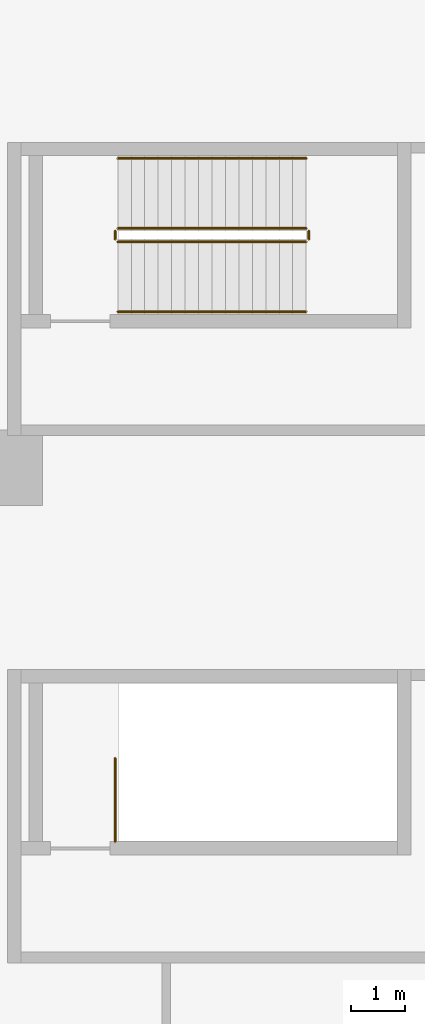
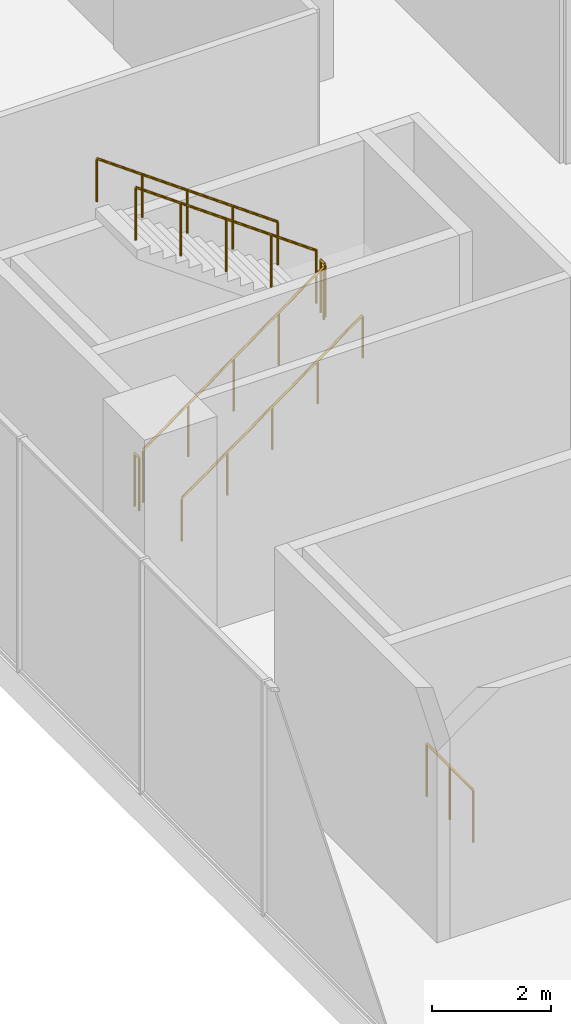
# One storey, part 20 of 21: 7 railings.
"""IFC4 building model written with IfcOpenShell, lengths in metres."""

from ifc_helpers import new_model, si_unit, direction, frame, origin, origin_2d, place, context, subcontext, project, spatial, circle, extrude, source, transform, mapped, material, type_object, element, save


model = new_model("IFC4")

# Units and contexts
model_context = context("Model", 3, precision=1e-05, world=origin(), true_north=direction((0.0, 1.0)))
body_context = subcontext(model_context, "Body", "Model", "MODEL_VIEW")
ifc_project = project(units=[si_unit("LENGTHUNIT", "METRE"), si_unit("AREAUNIT", "SQUARE_METRE"), si_unit("VOLUMEUNIT", "CUBIC_METRE"), si_unit("PLANEANGLEUNIT", "RADIAN"), si_unit("MASSUNIT", "GRAM", prefix="KILO")], contexts=[model_context])

# Site, building, storey
site_placement = place(None, origin())
site = spatial("IfcSite", under=ifc_project, at=site_placement, CompositionType="ELEMENT")
building_placement = place(site_placement, origin())
building = spatial("IfcBuilding", under=site, at=building_placement, Name="Aurelian Terraces", CompositionType="ELEMENT")
storey_placement = place(building_placement, frame((0.0, 0.0, 29.1)))
storey = spatial("IfcBuildingStorey", under=building, at=storey_placement, Name="L05", CompositionType="ELEMENT", Elevation=29.1)

# Railings
ifc_material = material(Name="Stainless steel", Category="steel")
railing_type_1 = type_object("IfcRailingType", Name="Stair guard 1100", PredefinedType="GUARDRAIL", material=ifc_material)
shared_shape_1 = source(origin(), body_context, "Body", "SweptSolid", [
    extrude(circle(Radius=0.024, at=origin_2d()), frame((0.0, 0.0, 1.076), z_axis=(0.0, 1.0, 0.0), x_axis=(-1.0, 0.0, 0.0)), (0.0, 0.0, 1.0), 0.15),
    extrude(circle(Radius=0.021, at=origin_2d()), origin(), (0.0, 0.0, 1.0), 1.052),
    extrude(circle(Radius=0.021, at=origin_2d()), frame((0.0, 0.15, 0.0)), (0.0, 0.0, 1.0), 1.052),
])
for number, where, name in (
    (1, (5.65, 42.05, 2.7), "L05 S3 stair guard 2"),
    (2, (2.05, 42.05, 0.0), "L05 S3 stair guard 4"),
):
    element("IfcRailing", number, at=place(storey_placement, frame(where)), inside=storey, type_object=railing_type_1, Name=name, PredefinedType="GUARDRAIL", context=body_context, shape_type="MappedRepresentation", body=[
        mapped(shared_shape_1, transform((0.0, 0.0, 0.0), scale=1.0)),
    ])
shared_shape_2 = source(origin(), body_context, "Body", "SweptSolid", [
    extrude(circle(Radius=0.024, at=origin_2d()), frame((0.0, 0.0, 1.076), z_axis=(0.811534341451, 0.0, 0.584304725845), x_axis=(0.0, 1.0, 0.0)), (0.0, 0.0, 1.0), 4.3128),
    extrude(circle(Radius=0.021, at=origin_2d()), origin(), (0.0, 0.0, 1.0), 1.052),
    extrude(circle(Radius=0.021, at=origin_2d()), frame((0.875, 0.0, 0.63)), (0.0, 0.0, 1.0), 1.052),
    extrude(circle(Radius=0.021, at=origin_2d()), frame((1.75, 0.0, 1.26)), (0.0, 0.0, 1.0), 1.052),
    extrude(circle(Radius=0.021, at=origin_2d()), frame((2.625, 0.0, 1.89)), (0.0, 0.0, 1.0), 1.052),
    extrude(circle(Radius=0.021, at=origin_2d()), frame((3.5, 0.0, 2.52)), (0.0, 0.0, 1.0), 1.052),
])
railing_1_placement = place(storey_placement, frame((2.1, 42.0, 0.18)))
element("IfcRailing", 3, at=railing_1_placement, inside=storey, type_object=railing_type_1, Name="L05 S3 stair guard 1", PredefinedType="GUARDRAIL", context=body_context, shape_type="MappedRepresentation", body=[
    mapped(shared_shape_2, transform((0.0, 0.0, 0.0), scale=1.0)),
])
shared_shape_3 = source(origin(), body_context, "Body", "SweptSolid", [
    extrude(circle(Radius=0.024, at=origin_2d()), frame((0.0, 0.0, 1.076), z_axis=(-0.811534341451, 0.0, 0.584304725845), x_axis=(0.0, -1.0, 0.0)), (0.0, 0.0, 1.0), 4.3128),
    extrude(circle(Radius=0.021, at=origin_2d()), origin(), (0.0, 0.0, 1.0), 1.052),
    extrude(circle(Radius=0.021, at=origin_2d()), frame((-0.875, 0.0, 0.63)), (0.0, 0.0, 1.0), 1.052),
    extrude(circle(Radius=0.021, at=origin_2d()), frame((-1.75, 0.0, 1.26)), (0.0, 0.0, 1.0), 1.052),
    extrude(circle(Radius=0.021, at=origin_2d()), frame((-2.625, 0.0, 1.89)), (0.0, 0.0, 1.0), 1.052),
    extrude(circle(Radius=0.021, at=origin_2d()), frame((-3.5, 0.0, 2.52)), (0.0, 0.0, 1.0), 1.052),
])
railing_2_placement = place(storey_placement, frame((5.6, 42.25, 2.88)))
element("IfcRailing", 4, at=railing_2_placement, inside=storey, type_object=railing_type_1, Name="L05 S3 stair guard 3", PredefinedType="GUARDRAIL", context=body_context, shape_type="MappedRepresentation", body=[
    mapped(shared_shape_3, transform((0.0, 0.0, 0.0), scale=1.0)),
])
railing_type_2 = type_object("IfcRailingType", Name="Stair handrail", PredefinedType="HANDRAIL", material=ifc_material)
shared_shape_4 = source(origin(), body_context, "Body", "SweptSolid", [
    extrude(circle(Radius=0.024, at=origin_2d()), frame((0.0, 0.0, 0.876), z_axis=(0.811534341451, 0.0, 0.584304725845), x_axis=(0.0, 1.0, 0.0)), (0.0, 0.0, 1.0), 4.3128),
    extrude(circle(Radius=0.021, at=origin_2d()), origin(), (0.0, 0.0, 1.0), 0.852),
    extrude(circle(Radius=0.021, at=origin_2d()), frame((0.875, 0.0, 0.63)), (0.0, 0.0, 1.0), 0.852),
    extrude(circle(Radius=0.021, at=origin_2d()), frame((1.75, 0.0, 1.26)), (0.0, 0.0, 1.0), 0.852),
    extrude(circle(Radius=0.021, at=origin_2d()), frame((2.625, 0.0, 1.89)), (0.0, 0.0, 1.0), 0.852),
    extrude(circle(Radius=0.021, at=origin_2d()), frame((3.5, 0.0, 2.52)), (0.0, 0.0, 1.0), 0.852),
])
railing_3_placement = place(storey_placement, frame((2.1, 40.7, 0.18)))
element("IfcRailing", 5, at=railing_3_placement, inside=storey, type_object=railing_type_2, Name="L05 S3 stair handrail 1", PredefinedType="HANDRAIL", context=body_context, shape_type="MappedRepresentation", body=[
    mapped(shared_shape_4, transform((0.0, 0.0, 0.0), scale=1.0)),
])
shared_shape_5 = source(origin(), body_context, "Body", "SweptSolid", [
    extrude(circle(Radius=0.024, at=origin_2d()), frame((0.0, 0.0, 0.876), z_axis=(-0.811534341451, 0.0, 0.584304725845), x_axis=(0.0, -1.0, 0.0)), (0.0, 0.0, 1.0), 4.3128),
    extrude(circle(Radius=0.021, at=origin_2d()), origin(), (0.0, 0.0, 1.0), 0.852),
    extrude(circle(Radius=0.021, at=origin_2d()), frame((-0.875, 0.0, 0.63)), (0.0, 0.0, 1.0), 0.852),
    extrude(circle(Radius=0.021, at=origin_2d()), frame((-1.75, 0.0, 1.26)), (0.0, 0.0, 1.0), 0.852),
    extrude(circle(Radius=0.021, at=origin_2d()), frame((-2.625, 0.0, 1.89)), (0.0, 0.0, 1.0), 0.852),
    extrude(circle(Radius=0.021, at=origin_2d()), frame((-3.5, 0.0, 2.52)), (0.0, 0.0, 1.0), 0.852),
])
railing_4_placement = place(storey_placement, frame((5.6, 43.55, 2.88)))
element("IfcRailing", 6, at=railing_4_placement, inside=storey, type_object=railing_type_2, Name="L05 S3 stair handrail 2", PredefinedType="HANDRAIL", context=body_context, shape_type="MappedRepresentation", body=[
    mapped(shared_shape_5, transform((0.0, 0.0, 0.0), scale=1.0)),
])
shared_shape_6 = source(origin(), body_context, "Body", "SweptSolid", [
    extrude(circle(Radius=0.024, at=origin_2d()), frame((0.0, 0.0, 1.076), z_axis=(0.0, 1.0, 0.0), x_axis=(-1.0, 0.0, 0.0)), (0.0, 0.0, 1.0), 1.55),
    extrude(circle(Radius=0.021, at=origin_2d()), origin(), (0.0, 0.0, 1.0), 1.052),
    extrude(circle(Radius=0.021, at=origin_2d()), frame((0.0, 0.775, 0.0)), (0.0, 0.0, 1.0), 1.052),
    extrude(circle(Radius=0.021, at=origin_2d()), frame((0.0, 1.55, 0.0)), (0.0, 0.0, 1.0), 1.052),
])
railing_5_placement = place(storey_placement, frame((2.05, 30.85, 0.0)))
element("IfcRailing", 7, at=railing_5_placement, inside=storey, type_object=railing_type_1, Name="L05 S4 top well guard 1", PredefinedType="GUARDRAIL", context=body_context, shape_type="MappedRepresentation", body=[
    mapped(shared_shape_6, transform((0.0, 0.0, 0.0), scale=1.0)),
])

save(model, "model.ifc")
